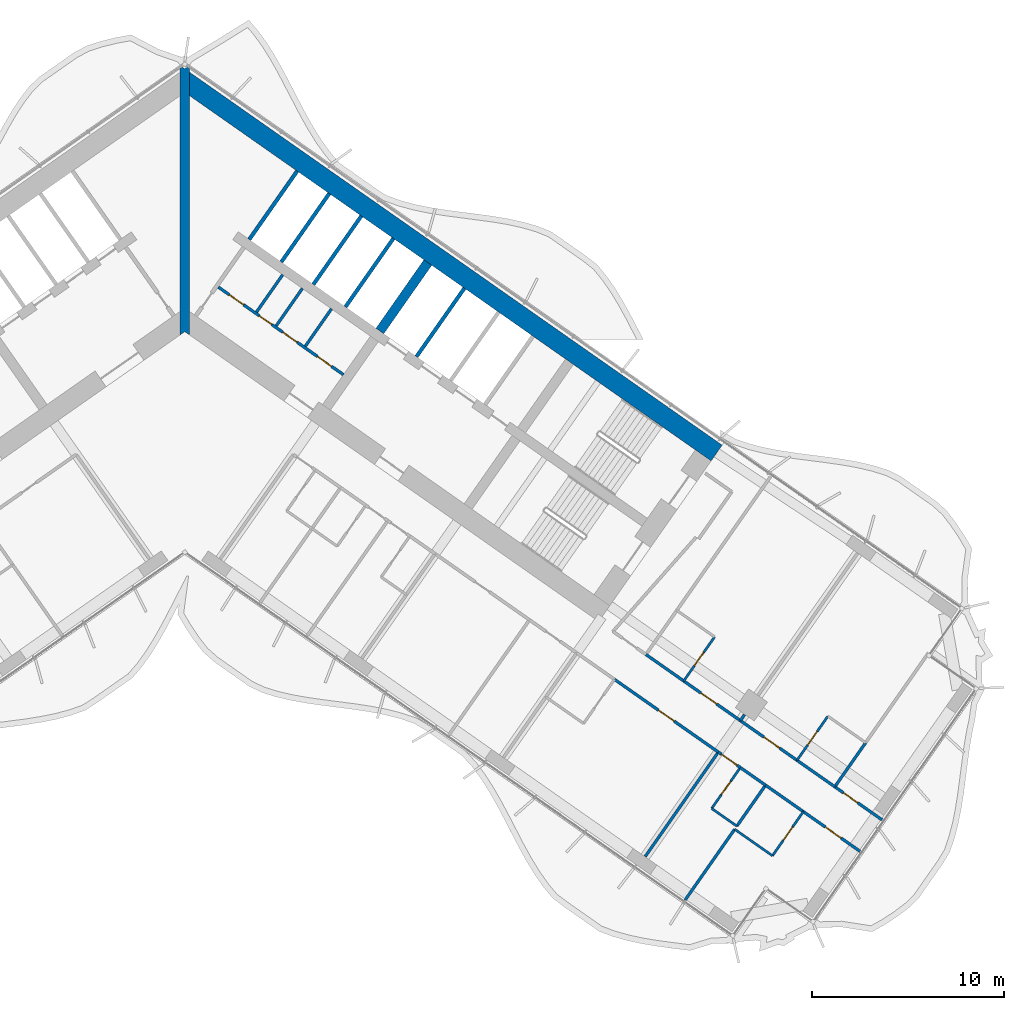
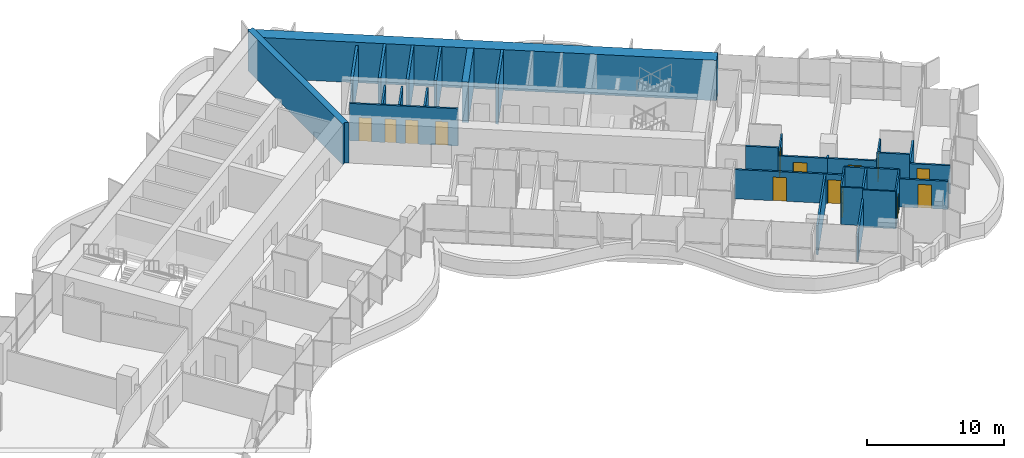
# One storey, part 15 of 23: 33 walls, 14 doors, 14 openings.
"""IFC4 building model written with IfcOpenShell, lengths in metres."""

from ifc_helpers import new_model, si_unit, direction, frame, frame_2d, origin, place, context, subcontext, project, spatial, polyline, rectangle, outline, extrude, material, layer, layer_set, type_object, element, fill, save


model = new_model("IFC4")

# Units and contexts
model_context = context("Model", 3, precision=1e-05, world=origin(), true_north=direction((0.0, 1.0)))
body_context = subcontext(model_context, "Body", "Model", "MODEL_VIEW")
ifc_project = project(units=[si_unit("LENGTHUNIT", "METRE"), si_unit("AREAUNIT", "SQUARE_METRE"), si_unit("VOLUMEUNIT", "CUBIC_METRE"), si_unit("PLANEANGLEUNIT", "RADIAN"), si_unit("MASSUNIT", "GRAM", prefix="KILO")], contexts=[model_context])

# Site, building, storey
site_placement = place(None, origin())
site = spatial("IfcSite", under=ifc_project, at=site_placement, CompositionType="ELEMENT")
building_placement = place(site_placement, origin())
building = spatial("IfcBuilding", under=site, at=building_placement, Name="Tel Ilan Convention Tower", CompositionType="ELEMENT")
storey_placement = place(building_placement, frame((0.0, 0.0, 119.300048828125)))
storey = spatial("IfcBuildingStorey", under=building, at=storey_placement, Name="L26", CompositionType="ELEMENT", Elevation=119.300048828125)

# Wall, openings, doors
ifc_material_1 = material(Name="Gypsum Plasterboard on Steel Stud", Category="steel")
ifc_layer_1 = layer(ifc_material_1, 0.14990234375)
ifc_layer_set_1 = layer_set([ifc_layer_1], Name="Core Room Partition Wall 150 mm EI 60")
wall_type_1 = type_object("IfcWallType", Name="Core Room Partition Wall 150 mm EI 60", PredefinedType="PARTITIONING", material=ifc_layer_set_1)
wall_1_placement = place(storey_placement, frame((1.7451171875, 1.097412109375, 0.0), z_axis=(0.0, 0.0, 1.0), x_axis=(0.819156890572, -0.573569515079, 0.0)))
wall_1 = element("IfcWall", 1, at=wall_1_placement, inside=storey, type_object=wall_type_1, Name="L26 core wall wc-h1", PredefinedType="PARTITIONING", context=body_context, shape_type="SweptSolid", body=[
    extrude(rectangle(XDim=7.949951171875, YDim=0.14990234375, at=frame_2d((3.97509765625, 0.0))), origin(), (0.0, 0.0, 1.0), 3.320068359375),
])
opening_1_placement = place(wall_1_placement, frame((0.699951171875, 0.0, 0.0)))
opening_1 = element("IfcOpeningElement", 2, at=opening_1_placement, cuts=wall_1, Name="Opening CD2010", PredefinedType="OPENING", context=body_context, shape_type="SweptSolid", body=[
    extrude(rectangle(XDim=0.89990234375, YDim=2.10009765625, at=frame_2d((0.449951171875, 1.050048828125))), frame((0.0, 0.0849609375, 0.0), z_axis=(0.0, -1.0, 0.0), x_axis=(1.0, 0.0, 0.0)), (0.0, 0.0, 1.0), 0.169921875),
])
opening_2_placement = place(wall_1_placement, frame((2.60009765625, 0.0, 0.0)))
opening_2 = element("IfcOpeningElement", 3, at=opening_2_placement, cuts=wall_1, Name="Opening CD2009", PredefinedType="OPENING", context=body_context, shape_type="SweptSolid", body=[
    extrude(rectangle(XDim=0.800048828125, YDim=2.10009765625, at=frame_2d((0.39990234375, 1.050048828125))), frame((0.0, 0.0849609375, 0.0), z_axis=(0.0, -1.0, 0.0), x_axis=(1.0, 0.0, 0.0)), (0.0, 0.0, 1.0), 0.169921875),
])
opening_3_placement = place(wall_1_placement, frame((4.10009765625, 0.0, 0.0)))
opening_3 = element("IfcOpeningElement", 4, at=opening_3_placement, cuts=wall_1, Name="Opening CD2008", PredefinedType="OPENING", context=body_context, shape_type="SweptSolid", body=[
    extrude(rectangle(XDim=0.89990234375, YDim=2.10009765625, at=frame_2d((0.449951171875, 1.050048828125))), frame((0.0, 0.0849609375, 0.0), z_axis=(0.0, -1.0, 0.0), x_axis=(1.0, 0.0, 0.0)), (0.0, 0.0, 1.0), 0.169921875),
])
opening_4_placement = place(wall_1_placement, frame((6.300048828125, 0.0, 0.0)))
opening_4 = element("IfcOpeningElement", 5, at=opening_4_placement, cuts=wall_1, Name="Opening CD2011", PredefinedType="OPENING", context=body_context, shape_type="SweptSolid", body=[
    extrude(rectangle(XDim=0.89990234375, YDim=2.10009765625, at=frame_2d((0.449951171875, 1.050048828125))), frame((0.0, 0.0849609375, 0.0), z_axis=(0.0, -1.0, 0.0), x_axis=(1.0, 0.0, 0.0)), (0.0, 0.0, 1.0), 0.169921875),
])
ifc_material_2 = material(Name="Galvanised Steel Door Leaf", Category="steel")
door_type_1 = type_object("IfcDoorType", Name="Store Door 800 x 2100 FD60", OperationType="NOTDEFINED", PredefinedType="DOOR", material=ifc_material_2)
door_1_placement = place(opening_2_placement, origin())
door_1 = element("IfcDoor", 6, at=door_1_placement, inside=storey, type_object=door_type_1, Name="Cleaner's store door", OperationType="SINGLE_SWING_RIGHT", OverallHeight=2.10009765625, OverallWidth=0.800048828125, PredefinedType="DOOR", context=body_context, shape_type="SweptSolid", body=[
    extrude(rectangle(XDim=0.800048828125, YDim=2.10009765625, at=frame_2d((0.39990234375, 1.050048828125))), frame((0.0, 0.02490234375, 0.0), z_axis=(0.0, -1.0, 0.0), x_axis=(1.0, 0.0, 0.0)), (0.0, 0.0, 1.0), 0.050048828125),
])
fill(opening_2, door_1)
ifc_material_3 = material(Name="Laminated Timber Door Leaf", Category="wood")
door_type_2 = type_object("IfcDoorType", Name="Toilet Door 900 x 2100 FD30S", OperationType="NOTDEFINED", PredefinedType="DOOR", material=ifc_material_3)
door_2_placement = place(opening_1_placement, origin())
door_2 = element("IfcDoor", 7, at=door_2_placement, inside=storey, type_object=door_type_2, Name="Men's WC door", OperationType="SINGLE_SWING_RIGHT", OverallHeight=2.10009765625, OverallWidth=0.89990234375, PredefinedType="DOOR", context=body_context, shape_type="SweptSolid", body=[
    extrude(rectangle(XDim=0.89990234375, YDim=2.10009765625, at=frame_2d((0.449951171875, 1.050048828125))), frame((0.0, 0.02490234375, 0.0), z_axis=(0.0, -1.0, 0.0), x_axis=(1.0, 0.0, 0.0)), (0.0, 0.0, 1.0), 0.050048828125),
])
fill(opening_1, door_2)
door_3_placement = place(opening_3_placement, origin())
door_3 = element("IfcDoor", 8, at=door_3_placement, inside=storey, type_object=door_type_2, Name="Accessible WC door", OperationType="SINGLE_SWING_RIGHT", OverallHeight=2.10009765625, OverallWidth=0.89990234375, PredefinedType="DOOR", context=body_context, shape_type="SweptSolid", body=[
    extrude(rectangle(XDim=0.89990234375, YDim=2.10009765625, at=frame_2d((0.449951171875, 1.050048828125))), frame((0.0, 0.02490234375, 0.0), z_axis=(0.0, -1.0, 0.0), x_axis=(1.0, 0.0, 0.0)), (0.0, 0.0, 1.0), 0.050048828125),
])
fill(opening_3, door_3)
door_4_placement = place(opening_4_placement, origin())
door_4 = element("IfcDoor", 9, at=door_4_placement, inside=storey, type_object=door_type_2, Name="Women's WC door", OperationType="SINGLE_SWING_RIGHT", OverallHeight=2.10009765625, OverallWidth=0.89990234375, PredefinedType="DOOR", context=body_context, shape_type="SweptSolid", body=[
    extrude(rectangle(XDim=0.89990234375, YDim=2.10009765625, at=frame_2d((0.449951171875, 1.050048828125))), frame((0.0, 0.02490234375, 0.0), z_axis=(0.0, -1.0, 0.0), x_axis=(1.0, 0.0, 0.0)), (0.0, 0.0, 1.0), 0.050048828125),
])
fill(opening_4, door_4)

# Walls
for number, where, z_axis, x_axis, name in (
    (10, (3.733642578125, -0.203369140625, 0.0), (0.0, 0.0, 1.0), (0.573579618003, 0.819149816463, 0.0), "L26 core wall wc-v0"),
    (11, (4.757568359375, -0.92041015625, 0.0), (0.0, 0.0, 1.0), (0.573579618003, 0.819149816463, 0.0), "L26 core wall wc-v1"),
    (12, (6.27294921875, -1.9814453125, 0.0), (0.0, 0.0, 1.0), (0.573579618003, 0.819149816463, 0.0), "L26 core wall wc-v2"),
):
    element("IfcWall", number, at=place(storey_placement, frame(where, z_axis=z_axis, x_axis=x_axis)), inside=storey, type_object=wall_type_1, Name=name, PredefinedType="PARTITIONING", context=body_context, shape_type="SweptSolid", body=[
        extrude(rectangle(XDim=2.375, YDim=0.14990234375, at=frame_2d((1.1875, 0.0))), origin(), (0.0, 0.0, 1.0), 3.320068359375),
    ])
ifc_material_4 = material(Name="Concrete C30/37", Category="concrete")
ifc_layer_2 = layer(ifc_material_4, 0.199951171875)
ifc_layer_set_2 = layer_set([ifc_layer_2], Name="Core Service Room Wall 200 mm C30/37")
wall_type_2 = type_object("IfcWallType", Name="Core Service Room Wall 200 mm C30/37", PredefinedType="SOLIDWALL", material=ifc_layer_set_2)
wall_2_placement = place(storey_placement, frame((3.355224609375, 3.5712890625, 0.0), z_axis=(0.0, 0.0, 1.0), x_axis=(0.57356780395, 0.819158088694, 0.0)))
element("IfcWall", 13, at=wall_2_placement, inside=storey, type_object=wall_type_2, Name="L26 core wall apex-E-b", PredefinedType="SOLIDWALL", context=body_context, shape_type="SweptSolid", body=[
    extrude(rectangle(XDim=4.35009765625, YDim=0.199951171875, at=frame_2d((2.175048828125, 0.0))), origin(), (0.0, 0.0, 1.0), 3.320068359375),
])
ifc_material_5 = material(Name="Concrete C60/75", Category="concrete")
ifc_layer_3 = layer(ifc_material_5, 1.0)
ifc_layer_set_3 = layer_set([ifc_layer_3], Name="Core Shear Wall 1000 mm C60/75")
wall_type_3 = type_object("IfcWallType", Name="Core Shear Wall 1000 mm C60/75", PredefinedType="SHEAR", material=ifc_layer_set_3)
wall_3_placement = place(storey_placement, frame((-0.036865234375, 11.8671875, 0.0), z_axis=(0.0, 0.0, 1.0), x_axis=(0.819155306259, -0.573571777746, 0.0)))
element("IfcWall", 14, at=wall_3_placement, inside=storey, type_object=wall_type_3, Name="L26 core wall E-back", PredefinedType="SHEAR", context=body_context, shape_type="SweptSolid", body=[
    extrude(outline(polyline([(33.8369140625, 0.5), (0.0, 0.5), (0.7001953125, -0.499755859375), (33.8369140625, -0.5), (33.8369140625, 0.5)])), origin(), (0.0, 0.0, 1.0), 3.599853515625),
])
ifc_material_6 = material(Name="Concrete C60/75", Category="concrete")
ifc_layer_4 = layer(ifc_material_6, 0.5)
ifc_layer_set_4 = layer_set([ifc_layer_4], Name="Core Shear Wall 500 mm C60/75")
wall_type_4 = type_object("IfcWallType", Name="Core Shear Wall 500 mm C60/75", PredefinedType="SHEAR", material=ifc_layer_set_4)
wall_4_placement = place(storey_placement, frame((10.154296875, -1.189208984375, 0.0), z_axis=(0.0, 0.0, 1.0), x_axis=(0.573594173421, 0.819139624372, 0.0)))
element("IfcWall", 15, at=wall_4_placement, inside=storey, type_object=wall_type_4, Name="L26 core wall E-cross1-2", PredefinedType="SHEAR", context=body_context, shape_type="SweptSolid", body=[
    extrude(outline(polyline([(4.349853515625, -0.25), (4.349853515625, 0.25), (-0.000244140625, 0.25), (-0.000244140625, -0.25), (4.349853515625, -0.25)])), origin(), (0.0, 0.0, 1.0), 3.599853515625),
])
wall_5_placement = place(storey_placement, frame((0.0, -1.395751953125, 0.0), z_axis=(0.0, 0.0, 1.0), x_axis=(0.0, 1.0, 0.0)))
element("IfcWall", 16, at=wall_5_placement, inside=storey, type_object=wall_type_4, Name="L26 core wall K-central", PredefinedType="SHEAR", context=body_context, shape_type="SweptSolid", body=[
    extrude(outline(polyline([(0.0, -0.25), (0.175048828125, -0.25), (1.220703125, -0.25), (12.451904296875, -0.25), (13.84765625, -0.25), (13.85693359375, -0.25), (13.96826171875, -0.172119140625), (13.84765625, 0.0), (13.96826171875, 0.172119140625), (13.85693359375, 0.25), (13.84765625, 0.25), (12.451904296875, 0.25), (1.220703125, 0.25), (0.175048828125, 0.25), (0.0, 0.25), (0.175048828125, 0.0), (0.0, -0.25)])), origin(), (0.0, 0.0, 1.0), 3.599853515625),
])

# Wall, opening, door
ifc_material_7 = material(Name="Plasterboard on Steel Studs", Category="steel")
ifc_layer_5 = layer(ifc_material_7, 0.14990234375)
ifc_layer_set_5 = layer_set([ifc_layer_5], Name="Fire-rated Partition 150 EI 60")
wall_type_5 = type_object("IfcWallType", Name="Fire-rated Partition 150 EI 60", PredefinedType="PARTITIONING", material=ifc_layer_set_5)
wall_6_placement = place(storey_placement, frame((25.966064453125, -19.402587890625, 0.0), z_axis=(0.0, 0.0, 1.0), x_axis=(0.81917779803, -0.57353965444, 0.0)))
wall_6 = element("IfcWall", 17, at=wall_6_placement, inside=storey, type_object=wall_type_5, Name="Partition 002", PredefinedType="PARTITIONING", context=body_context, shape_type="SweptSolid", body=[
    extrude(rectangle(XDim=3.602783203125, YDim=0.14990234375, at=frame_2d((1.80126953125, 0.0))), origin(), (0.0, 0.0, 1.0), 2.599853515625),
])
opening_5_placement = place(wall_6_placement, frame((1.10107421875, 0.0, 0.0)))
opening_5 = element("IfcOpeningElement", 18, at=opening_5_placement, cuts=wall_6, Name="Opening L24-029", PredefinedType="OPENING", context=body_context, shape_type="SweptSolid", body=[
    extrude(rectangle(XDim=1.0, YDim=2.10009765625, at=frame_2d((0.5, 1.050048828125))), frame((0.0, 0.0849609375, 0.0), z_axis=(0.0, -1.0, 0.0), x_axis=(1.0, 0.0, 0.0)), (0.0, 0.0, 1.0), 0.169921875),
])
ifc_material_8 = material(Name="Timber Door Leaf in Steel Frame", Category="steel")
door_type_3 = type_object("IfcDoorType", Name="Hotel Room Entrance Fire Door 1000x2100", OperationType="NOTDEFINED", PredefinedType="DOOR", material=ifc_material_8)
door_5_placement = place(opening_5_placement, origin())
door_5 = element("IfcDoor", 19, at=door_5_placement, inside=storey, type_object=door_type_3, Name="Door L24-029", OperationType="SINGLE_SWING_LEFT", OverallHeight=2.10009765625, OverallWidth=1.0, PredefinedType="DOOR", context=body_context, shape_type="SweptSolid", body=[
    extrude(rectangle(XDim=1.0, YDim=2.10009765625, at=frame_2d((0.5, 1.050048828125))), frame((0.0, 0.02490234375, 0.0), z_axis=(0.0, -1.0, 0.0), x_axis=(1.0, 0.0, 0.0)), (0.0, 0.0, 1.0), 0.050048828125),
])
fill(opening_5, door_5)

# Wall
wall_7_placement = place(storey_placement, frame((23.999267578125, -18.025390625, 0.0), z_axis=(0.0, 0.0, 1.0), x_axis=(0.819146032251, -0.573585022335, 0.0)))
element("IfcWall", 20, at=wall_7_placement, inside=storey, type_object=wall_type_5, Name="Partition 003", PredefinedType="PARTITIONING", context=body_context, shape_type="SweptSolid", body=[
    extrude(rectangle(XDim=2.404052734375, YDim=0.14990234375, at=frame_2d((1.2021484375, 0.0))), origin(), (0.0, 0.0, 1.0), 3.320068359375),
])

# Wall, opening, door
wall_8_placement = place(storey_placement, frame((28.914306640625, -21.466796875, 0.0), z_axis=(0.0, 0.0, 1.0), x_axis=(0.819145961204, -0.573585123798, 0.0)))
wall_8 = element("IfcWall", 21, at=wall_8_placement, inside=storey, type_object=wall_type_5, Name="Partition 004", PredefinedType="PARTITIONING", context=body_context, shape_type="SweptSolid", body=[
    extrude(rectangle(XDim=3.60302734375, YDim=0.14990234375, at=frame_2d((1.801513671875, 0.0))), origin(), (0.0, 0.0, 1.0), 2.599853515625),
])
opening_6_placement = place(wall_8_placement, frame((1.501953125, 0.0, 0.0)))
opening_6 = element("IfcOpeningElement", 22, at=opening_6_placement, cuts=wall_8, Name="Opening L24-031", PredefinedType="OPENING", context=body_context, shape_type="SweptSolid", body=[
    extrude(rectangle(XDim=1.0, YDim=2.10009765625, at=frame_2d((0.5, 1.050048828125))), frame((0.0, 0.0849609375, 0.0), z_axis=(0.0, -1.0, 0.0), x_axis=(1.0, 0.0, 0.0)), (0.0, 0.0, 1.0), 0.169921875),
])
door_6_placement = place(opening_6_placement, origin())
door_6 = element("IfcDoor", 23, at=door_6_placement, inside=storey, type_object=door_type_3, Name="Door L24-031", OperationType="SINGLE_SWING_LEFT", OverallHeight=2.10009765625, OverallWidth=1.0, PredefinedType="DOOR", context=body_context, shape_type="SweptSolid", body=[
    extrude(rectangle(XDim=1.0, YDim=2.10009765625, at=frame_2d((0.5, 1.050048828125))), frame((0.0, 0.02490234375, 0.0), z_axis=(0.0, -1.0, 0.0), x_axis=(1.0, 0.0, 0.0)), (0.0, 0.0, 1.0), 0.050048828125),
])
fill(opening_6, door_6)

# Wall
wall_9_placement = place(storey_placement, frame((31.86328125, -23.531494140625, 0.0), z_axis=(0.0, 0.0, 1.0), x_axis=(0.819146032251, -0.573585022335, 0.0)))
element("IfcWall", 24, at=wall_9_placement, inside=storey, type_object=wall_type_5, Name="Partition 005", PredefinedType="PARTITIONING", context=body_context, shape_type="SweptSolid", body=[
    extrude(rectangle(XDim=2.404052734375, YDim=0.14990234375, at=frame_2d((1.2021484375, 0.0))), origin(), (0.0, 0.0, 1.0), 3.320068359375),
])

# Wall, opening, door
wall_10_placement = place(storey_placement, frame((33.8291015625, -24.908203125, 0.0), z_axis=(0.0, 0.0, 1.0), x_axis=(0.81915932427, -0.57356603932, 0.0)))
wall_10 = element("IfcWall", 25, at=wall_10_placement, inside=storey, type_object=wall_type_5, Name="Partition 006", PredefinedType="PARTITIONING", context=body_context, shape_type="SweptSolid", body=[
    extrude(rectangle(XDim=3.002197265625, YDim=0.14990234375, at=frame_2d((1.5009765625, 0.0))), origin(), (0.0, 0.0, 1.0), 2.5),
])
opening_7_placement = place(wall_10_placement, frame((0.551025390625, 0.0, 0.0)))
opening_7 = element("IfcOpeningElement", 26, at=opening_7_placement, cuts=wall_10, Name="Opening L24-032", PredefinedType="OPENING", context=body_context, shape_type="SweptSolid", body=[
    extrude(rectangle(XDim=0.89990234375, YDim=2.10009765625, at=frame_2d((0.449951171875, 1.050048828125))), frame((0.0, 0.0849609375, 0.0), z_axis=(0.0, -1.0, 0.0), x_axis=(1.0, 0.0, 0.0)), (0.0, 0.0, 1.0), 0.169921875),
])
ifc_material_9 = material(Name="Timber Door Leaf in Steel Frame", Category="steel")
door_type_4 = type_object("IfcDoorType", Name="Room Fire Door 900x2100", OperationType="NOTDEFINED", PredefinedType="DOOR", material=ifc_material_9)
door_7_placement = place(opening_7_placement, origin())
door_7 = element("IfcDoor", 27, at=door_7_placement, inside=storey, type_object=door_type_4, Name="Door L24-032", OperationType="SINGLE_SWING_RIGHT", OverallHeight=2.10009765625, OverallWidth=0.89990234375, PredefinedType="DOOR", context=body_context, shape_type="SweptSolid", body=[
    extrude(rectangle(XDim=0.89990234375, YDim=2.10009765625, at=frame_2d((0.449951171875, 1.050048828125))), frame((0.0, 0.02490234375, 0.0), z_axis=(0.0, -1.0, 0.0), x_axis=(1.0, 0.0, 0.0)), (0.0, 0.0, 1.0), 0.050048828125),
])
fill(opening_7, door_7)

wall_11_placement = place(storey_placement, frame((27.7705078125, -23.107421875, 0.0), z_axis=(0.0, 0.0, 1.0), x_axis=(-0.819153746897, 0.573574004767, 0.0)))
wall_11 = element("IfcWall", 28, at=wall_11_placement, inside=storey, type_object=wall_type_5, Name="Partition 015", PredefinedType="PARTITIONING", context=body_context, shape_type="SweptSolid", body=[
    extrude(rectangle(XDim=6.60302734375, YDim=0.14990234375, at=frame_2d((3.301513671875, 0.0))), origin(), (0.0, 0.0, 1.0), 2.599853515625),
])
opening_8_placement = place(wall_11_placement, frame((2.802001953125, 0.0, 0.0)))
opening_8 = element("IfcOpeningElement", 29, at=opening_8_placement, cuts=wall_11, Name="Opening L24-022", PredefinedType="OPENING", context=body_context, shape_type="SweptSolid", body=[
    extrude(rectangle(XDim=1.0, YDim=2.10009765625, at=frame_2d((0.5, 1.050048828125))), frame((0.0, 0.0849609375, 0.0), z_axis=(0.0, -1.0, 0.0), x_axis=(1.0, 0.0, 0.0)), (0.0, 0.0, 1.0), 0.169921875),
])
door_8_placement = place(opening_8_placement, origin())
door_8 = element("IfcDoor", 30, at=door_8_placement, inside=storey, type_object=door_type_3, Name="Door L24-022", OperationType="SINGLE_SWING_LEFT", OverallHeight=2.10009765625, OverallWidth=1.0, PredefinedType="DOOR", context=body_context, shape_type="SweptSolid", body=[
    extrude(rectangle(XDim=1.0, YDim=2.10009765625, at=frame_2d((0.5, 1.050048828125))), frame((0.0, 0.02490234375, 0.0), z_axis=(0.0, -1.0, 0.0), x_axis=(1.0, 0.0, 0.0)), (0.0, 0.0, 1.0), 0.050048828125),
])
fill(opening_8, door_8)

wall_12_placement = place(storey_placement, frame((28.91650390625, -23.909912109375, 0.0), z_axis=(0.0, 0.0, 1.0), x_axis=(-0.819117471667, 0.573625808005, 0.0)))
wall_12 = element("IfcWall", 31, at=wall_12_placement, inside=storey, type_object=wall_type_5, Name="Partition 017", PredefinedType="PARTITIONING", context=body_context, shape_type="SweptSolid", body=[
    extrude(rectangle(XDim=1.4033203125, YDim=0.14990234375, at=frame_2d((0.70166015625, 0.0))), origin(), (0.0, 0.0, 1.0), 2.599853515625),
])
opening_9_placement = place(wall_12_placement, frame((0.200927734375, 0.0, 0.0)))
opening_9 = element("IfcOpeningElement", 32, at=opening_9_placement, cuts=wall_12, Name="Opening L24-024", PredefinedType="OPENING", context=body_context, shape_type="SweptSolid", body=[
    extrude(rectangle(XDim=1.0, YDim=2.10009765625, at=frame_2d((0.5, 1.050048828125))), frame((0.0, 0.0849609375, 0.0), z_axis=(0.0, -1.0, 0.0), x_axis=(1.0, 0.0, 0.0)), (0.0, 0.0, 1.0), 0.169921875),
])
door_9_placement = place(opening_9_placement, origin())
door_9 = element("IfcDoor", 33, at=door_9_placement, inside=storey, type_object=door_type_3, Name="Door L24-024", OperationType="SINGLE_SWING_LEFT", OverallHeight=2.10009765625, OverallWidth=1.0, PredefinedType="DOOR", context=body_context, shape_type="SweptSolid", body=[
    extrude(rectangle(XDim=1.0, YDim=2.10009765625, at=frame_2d((0.5, 1.050048828125))), frame((0.0, 0.02490234375, 0.0), z_axis=(0.0, -1.0, 0.0), x_axis=(1.0, 0.0, 0.0)), (0.0, 0.0, 1.0), 0.050048828125),
])
fill(opening_9, door_9)

# Wall
wall_13_placement = place(storey_placement, frame((30.227783203125, -24.828125, 0.0), z_axis=(0.0, 0.0, 1.0), x_axis=(-0.819189013667, 0.573523634986, 0.0)))
element("IfcWall", 34, at=wall_13_placement, inside=storey, type_object=wall_type_5, Name="Partition 018", PredefinedType="PARTITIONING", context=body_context, shape_type="SweptSolid", body=[
    extrude(rectangle(XDim=1.60400390625, YDim=0.14990234375, at=frame_2d((0.802001953125, 0.0))), origin(), (0.0, 0.0, 1.0), 3.320068359375),
])

# Wall, opening, door
wall_14_placement = place(storey_placement, frame((35.14111328125, -28.268310546875, 0.0), z_axis=(0.0, 0.0, 1.0), x_axis=(-0.819149096931, 0.573580645591, 0.0)))
wall_14 = element("IfcWall", 35, at=wall_14_placement, inside=storey, type_object=wall_type_5, Name="Partition 019", PredefinedType="PARTITIONING", context=body_context, shape_type="SweptSolid", body=[
    extrude(rectangle(XDim=3.600830078125, YDim=0.14990234375, at=frame_2d((1.80029296875, 0.0))), origin(), (0.0, 0.0, 1.0), 2.5),
])
opening_10_placement = place(wall_14_placement, frame((1.199951171875, 0.0, 0.0)))
opening_10 = element("IfcOpeningElement", 36, at=opening_10_placement, cuts=wall_14, Name="Opening L24-026", PredefinedType="OPENING", context=body_context, shape_type="SweptSolid", body=[
    extrude(rectangle(XDim=1.0, YDim=2.10009765625, at=frame_2d((0.5, 1.050048828125))), frame((0.0, 0.0849609375, 0.0), z_axis=(0.0, -1.0, 0.0), x_axis=(1.0, 0.0, 0.0)), (0.0, 0.0, 1.0), 0.169921875),
])
door_10_placement = place(opening_10_placement, origin())
door_10 = element("IfcDoor", 37, at=door_10_placement, inside=storey, type_object=door_type_3, Name="Door L24-026", OperationType="SINGLE_SWING_LEFT", OverallHeight=2.10009765625, OverallWidth=1.0, PredefinedType="DOOR", context=body_context, shape_type="SweptSolid", body=[
    extrude(rectangle(XDim=1.0, YDim=2.10009765625, at=frame_2d((0.5, 1.050048828125))), frame((0.0, 0.02490234375, 0.0), z_axis=(0.0, -1.0, 0.0), x_axis=(1.0, 0.0, 0.0)), (0.0, 0.0, 1.0), 0.050048828125),
])
fill(opening_10, door_10)

# Walls
wall_15_placement = place(storey_placement, frame((32.19384765625, -26.20458984375, 0.0), z_axis=(0.0, 0.0, 1.0), x_axis=(-0.819146032251, 0.573585022335, 0.0)))
element("IfcWall", 38, at=wall_15_placement, inside=storey, type_object=wall_type_5, Name="Partition 020", PredefinedType="PARTITIONING", context=body_context, shape_type="SweptSolid", body=[
    extrude(rectangle(XDim=2.404052734375, YDim=0.14990234375, at=frame_2d((1.2021484375, 0.0))), origin(), (0.0, 0.0, 1.0), 3.320068359375),
])
wall_16_placement = place(storey_placement, frame((29.1337890625, -21.156494140625, 0.0), z_axis=(0.0, 0.0, 1.0), x_axis=(-0.572944929411, -0.819593867633, 0.0)))
element("IfcWall", 39, at=wall_16_placement, inside=storey, type_object=wall_type_5, Name="Partition 041", PredefinedType="PARTITIONING", context=body_context, shape_type="SweptSolid", body=[
    extrude(rectangle(XDim=0.380126953125, YDim=0.14990234375, at=frame_2d((0.18994140625, 0.0))), origin(), (0.0, 0.0, 1.0), 2.599853515625),
])
wall_17_placement = place(storey_placement, frame((35.436767578125, -22.61572265625, 0.0), z_axis=(0.0, 0.0, 1.0), x_axis=(-0.573550118428, -0.819170471667, 0.0)))
element("IfcWall", 40, at=wall_17_placement, inside=storey, type_object=wall_type_5, Name="Partition 045", PredefinedType="PARTITIONING", context=body_context, shape_type="SweptSolid", body=[
    extrude(rectangle(XDim=2.800048828125, YDim=0.14990234375, at=frame_2d((1.39990234375, 0.0))), origin(), (0.0, 0.0, 1.0), 2.599853515625),
])
wall_18_placement = place(storey_placement, frame((27.768798828125, -23.106201171875, 0.0), z_axis=(0.0, 0.0, 1.0), x_axis=(-0.57359826181, -0.819136761505, 0.0)))
element("IfcWall", 41, at=wall_18_placement, inside=storey, type_object=wall_type_5, Name="Partition 063", PredefinedType="PARTITIONING", context=body_context, shape_type="SweptSolid", body=[
    extrude(rectangle(XDim=6.630126953125, YDim=0.14990234375, at=frame_2d((3.31494140625, 0.0))), origin(), (0.0, 0.0, 1.0), 2.599853515625),
])
wall_19_placement = place(storey_placement, frame((28.620849609375, -27.11962890625, 0.0), z_axis=(0.0, 0.0, 1.0), x_axis=(-0.573593387921, -0.81914017441, 0.0)))
element("IfcWall", 42, at=wall_19_placement, inside=storey, type_object=wall_type_5, Name="Partition 066", PredefinedType="PARTITIONING", context=body_context, shape_type="SweptSolid", body=[
    extrude(rectangle(XDim=4.5009765625, YDim=0.14990234375, at=frame_2d((2.25048828125, 0.0))), origin(), (0.0, 0.0, 1.0), 2.5),
])
wall_20_placement = place(storey_placement, frame((30.226318359375, -24.826904296875, 0.0), z_axis=(0.0, 0.0, 1.0), x_axis=(-0.573600972199, -0.819134863556, 0.0)))
element("IfcWall", 43, at=wall_20_placement, inside=storey, type_object=wall_type_5, Name="Partition 067", PredefinedType="PARTITIONING", context=body_context, shape_type="SweptSolid", body=[
    extrude(rectangle(XDim=2.60009765625, YDim=0.14990234375, at=frame_2d((1.300048828125, 0.0))), origin(), (0.0, 0.0, 1.0), 3.320068359375),
])
ifc_material_10 = material(Name="Concrete C30/37", Category="concrete")
ifc_layer_6 = layer(ifc_material_10, 0.199951171875)
ifc_layer_set_6 = layer_set([ifc_layer_6], Name="Lift Shaft Wall 200 mm C30/37")
wall_type_6 = type_object("IfcWallType", Name="Lift Shaft Wall 200 mm C30/37", PredefinedType="SOLIDWALL", material=ifc_layer_set_6)
wall_21_placement = place(storey_placement, frame((5.0244140625, 2.402587890625, 0.0), z_axis=(0.0, 0.0, 1.0), x_axis=(0.573530143085, 0.819184457233, 0.0)))
element("IfcWall", 44, at=wall_21_placement, inside=storey, type_object=wall_type_6, Name="L26 core wall bank-E1-p0", PredefinedType="SOLIDWALL", context=body_context, shape_type="SweptSolid", body=[
    extrude(rectangle(XDim=4.35009765625, YDim=0.199951171875, at=frame_2d((2.175048828125, 0.0))), origin(), (0.0, 0.0, 1.0), 3.599853515625),
])
for number, where, z_axis, x_axis, name in (
    (45, (6.693359375, 1.234130859375, 0.0), (0.0, 0.0, 1.0), (0.573594173421, 0.819139624372, 0.0), "L26 core wall bank-E1-p1"),
    (46, (8.3623046875, 0.0654296875, 0.0), (0.0, 0.0, 1.0), (0.573594173421, 0.819139624372, 0.0), "L26 core wall bank-E1-p2"),
    (47, (12.05859375, -2.52294921875, 0.0), (0.0, 0.0, 1.0), (0.573594173421, 0.819139624372, 0.0), "L26 core wall bank-E2-p0"),
):
    element("IfcWall", number, at=place(storey_placement, frame(where, z_axis=z_axis, x_axis=x_axis)), inside=storey, type_object=wall_type_6, Name=name, PredefinedType="SOLIDWALL", context=body_context, shape_type="SweptSolid", body=[
        extrude(rectangle(XDim=4.349853515625, YDim=0.199951171875, at=frame_2d((2.1748046875, 0.0))), origin(), (0.0, 0.0, 1.0), 3.599853515625),
    ])

# Wall, opening, door
ifc_material_11 = material(Name="Plasterboard on Steel Studs", Category="steel")
ifc_layer_7 = layer(ifc_material_11, 0.1201171875)
ifc_layer_set_7 = layer_set([ifc_layer_7], Name="Moisture-resistant Partition 120")
wall_type_7 = type_object("IfcWallType", Name="Moisture-resistant Partition 120", PredefinedType="PARTITIONING", material=ifc_layer_set_7)
wall_22_placement = place(storey_placement, frame((25.9677734375, -19.403564453125, 0.0), z_axis=(0.0, 0.0, 1.0), x_axis=(0.573591086599, 0.819141785879, 0.0)))
wall_22 = element("IfcWall", 48, at=wall_22_placement, inside=storey, type_object=wall_type_7, Name="Partition 038", PredefinedType="PARTITIONING", context=body_context, shape_type="SweptSolid", body=[
    extrude(rectangle(XDim=2.7998046875, YDim=0.1201171875, at=frame_2d((1.39990234375, 0.0))), origin(), (0.0, 0.0, 1.0), 2.599853515625),
])
opening_11_placement = place(wall_22_placement, frame((0.97509765625, 0.0, 0.0)))
opening_11 = element("IfcOpeningElement", 49, at=opening_11_placement, cuts=wall_22, Name="Opening L24-028", PredefinedType="OPENING", context=body_context, shape_type="SweptSolid", body=[
    extrude(rectangle(XDim=0.85009765625, YDim=2.050048828125, at=frame_2d((0.425048828125, 1.02490234375))), frame((0.0, 0.070068359375, 0.0), z_axis=(0.0, -1.0, 0.0), x_axis=(1.0, 0.0, 0.0)), (0.0, 0.0, 1.0), 0.14013671875),
])
ifc_material_12 = material(Name="Timber Door Leaf in Steel Frame", Category="steel")
door_type_5 = type_object("IfcDoorType", Name="Bathroom Timber Door 850x2050", OperationType="NOTDEFINED", PredefinedType="DOOR", material=ifc_material_12)
door_11_placement = place(opening_11_placement, origin())
door_11 = element("IfcDoor", 50, at=door_11_placement, inside=storey, type_object=door_type_5, Name="Door L24-028", OperationType="SINGLE_SWING_RIGHT", OverallHeight=2.050048828125, OverallWidth=0.85009765625, PredefinedType="DOOR", context=body_context, shape_type="SweptSolid", body=[
    extrude(rectangle(XDim=0.85009765625, YDim=2.050048828125, at=frame_2d((0.425048828125, 1.02490234375))), frame((0.0, 0.02490234375, 0.0), z_axis=(0.0, -1.0, 0.0), x_axis=(1.0, 0.0, 0.0)), (0.0, 0.0, 1.0), 0.050048828125),
])
fill(opening_11, door_11)

wall_23_placement = place(storey_placement, frame((33.469970703125, -21.238525390625, 0.0), z_axis=(0.0, 0.0, 1.0), x_axis=(-0.573550118428, -0.819170471667, 0.0)))
wall_23 = element("IfcWall", 51, at=wall_23_placement, inside=storey, type_object=wall_type_7, Name="Partition 043", PredefinedType="PARTITIONING", context=body_context, shape_type="SweptSolid", body=[
    extrude(rectangle(XDim=2.800048828125, YDim=0.1201171875, at=frame_2d((1.39990234375, 0.0))), origin(), (0.0, 0.0, 1.0), 2.599853515625),
])
opening_12_placement = place(wall_23_placement, frame((0.97509765625, 0.0, 0.0)))
opening_12 = element("IfcOpeningElement", 52, at=opening_12_placement, cuts=wall_23, Name="Opening L24-030", PredefinedType="OPENING", context=body_context, shape_type="SweptSolid", body=[
    extrude(rectangle(XDim=0.85009765625, YDim=2.050048828125, at=frame_2d((0.425048828125, 1.02490234375))), frame((0.0, 0.070068359375, 0.0), z_axis=(0.0, -1.0, 0.0), x_axis=(1.0, 0.0, 0.0)), (0.0, 0.0, 1.0), 0.14013671875),
])
door_12_placement = place(opening_12_placement, origin())
door_12 = element("IfcDoor", 53, at=door_12_placement, inside=storey, type_object=door_type_5, Name="Door L24-030", OperationType="SINGLE_SWING_RIGHT", OverallHeight=2.050048828125, OverallWidth=0.85009765625, PredefinedType="DOOR", context=body_context, shape_type="SweptSolid", body=[
    extrude(rectangle(XDim=0.85009765625, YDim=2.050048828125, at=frame_2d((0.425048828125, 1.02490234375))), frame((0.0, 0.02490234375, 0.0), z_axis=(0.0, -1.0, 0.0), x_axis=(1.0, 0.0, 0.0)), (0.0, 0.0, 1.0), 0.050048828125),
])
fill(opening_12, door_12)

wall_24_placement = place(storey_placement, frame((28.914794921875, -23.90869140625, 0.0), z_axis=(0.0, 0.0, 1.0), x_axis=(-0.573645091666, -0.819103967032, 0.0)))
wall_24 = element("IfcWall", 54, at=wall_24_placement, inside=storey, type_object=wall_type_7, Name="Partition 064", PredefinedType="PARTITIONING", context=body_context, shape_type="SweptSolid", body=[
    extrude(rectangle(XDim=2.599853515625, YDim=0.1201171875, at=frame_2d((1.2998046875, 0.0))), origin(), (0.0, 0.0, 1.0), 3.320068359375),
])
opening_13_placement = place(wall_24_placement, frame((0.875, 0.0, 0.0)))
opening_13 = element("IfcOpeningElement", 55, at=opening_13_placement, cuts=wall_24, Name="Opening L24-023", PredefinedType="OPENING", context=body_context, shape_type="SweptSolid", body=[
    extrude(rectangle(XDim=0.85009765625, YDim=2.050048828125, at=frame_2d((0.425048828125, 1.02490234375))), frame((0.0, 0.070068359375, 0.0), z_axis=(0.0, -1.0, 0.0), x_axis=(1.0, 0.0, 0.0)), (0.0, 0.0, 1.0), 0.14013671875),
])
door_13_placement = place(opening_13_placement, origin())
door_13 = element("IfcDoor", 56, at=door_13_placement, inside=storey, type_object=door_type_5, Name="Door L24-023", OperationType="SINGLE_SWING_RIGHT", OverallHeight=2.050048828125, OverallWidth=0.85009765625, PredefinedType="DOOR", context=body_context, shape_type="SweptSolid", body=[
    extrude(rectangle(XDim=0.85009765625, YDim=2.050048828125, at=frame_2d((0.425048828125, 1.02490234375))), frame((0.0, 0.02490234375, 0.0), z_axis=(0.0, -1.0, 0.0), x_axis=(1.0, 0.0, 0.0)), (0.0, 0.0, 1.0), 0.050048828125),
])
fill(opening_13, door_13)

# Walls
wall_25_placement = place(storey_placement, frame((27.423583984375, -26.039794921875, 0.0), z_axis=(0.0, 0.0, 1.0), x_axis=(0.81918174131, -0.573534022273, 0.0)))
element("IfcWall", 57, at=wall_25_placement, inside=storey, type_object=wall_type_7, Name="Partition 065", PredefinedType="PARTITIONING", context=body_context, shape_type="SweptSolid", body=[
    extrude(rectangle(XDim=1.60009765625, YDim=0.1201171875, at=frame_2d((0.800048828125, 0.0))), origin(), (0.0, 0.0, 1.0), 3.320068359375),
])
wall_26_placement = place(storey_placement, frame((28.61962890625, -27.121337890625, 0.0), z_axis=(0.0, 0.0, 1.0), x_axis=(0.819141114317, -0.573592045652, 0.0)))
element("IfcWall", 58, at=wall_26_placement, inside=storey, type_object=wall_type_7, Name="Partition 068", PredefinedType="PARTITIONING", context=body_context, shape_type="SweptSolid", body=[
    extrude(rectangle(XDim=2.400146484375, YDim=0.1201171875, at=frame_2d((1.2001953125, 0.0))), origin(), (0.0, 0.0, 1.0), 3.320068359375),
])

# Wall, opening, door
wall_27_placement = place(storey_placement, frame((30.5869140625, -28.497802734375, 0.0), z_axis=(0.0, 0.0, 1.0), x_axis=(0.573608623498, 0.819129505664, 0.0)))
wall_27 = element("IfcWall", 59, at=wall_27_placement, inside=storey, type_object=wall_type_7, Name="Partition 069", PredefinedType="PARTITIONING", context=body_context, shape_type="SweptSolid", body=[
    extrude(rectangle(XDim=2.800048828125, YDim=0.1201171875, at=frame_2d((1.39990234375, 0.0))), origin(), (0.0, 0.0, 1.0), 3.320068359375),
])
opening_14_placement = place(wall_27_placement, frame((0.97509765625, 0.0, 0.0)))
opening_14 = element("IfcOpeningElement", 60, at=opening_14_placement, cuts=wall_27, Name="Opening L24-025", PredefinedType="OPENING", context=body_context, shape_type="SweptSolid", body=[
    extrude(rectangle(XDim=0.85009765625, YDim=2.050048828125, at=frame_2d((0.425048828125, 1.02490234375))), frame((0.0, 0.070068359375, 0.0), z_axis=(0.0, -1.0, 0.0), x_axis=(1.0, 0.0, 0.0)), (0.0, 0.0, 1.0), 0.14013671875),
])
door_14_placement = place(opening_14_placement, origin())
door_14 = element("IfcDoor", 61, at=door_14_placement, inside=storey, type_object=door_type_5, Name="Door L24-025", OperationType="SINGLE_SWING_LEFT", OverallHeight=2.050048828125, OverallWidth=0.85009765625, PredefinedType="DOOR", context=body_context, shape_type="SweptSolid", body=[
    extrude(rectangle(XDim=0.85009765625, YDim=2.050048828125, at=frame_2d((0.425048828125, 1.02490234375))), frame((0.0, 0.02490234375, 0.0), z_axis=(0.0, -1.0, 0.0), x_axis=(1.0, 0.0, 0.0)), (0.0, 0.0, 1.0), 0.050048828125),
])
fill(opening_14, door_14)

save(model, "model.ifc")
